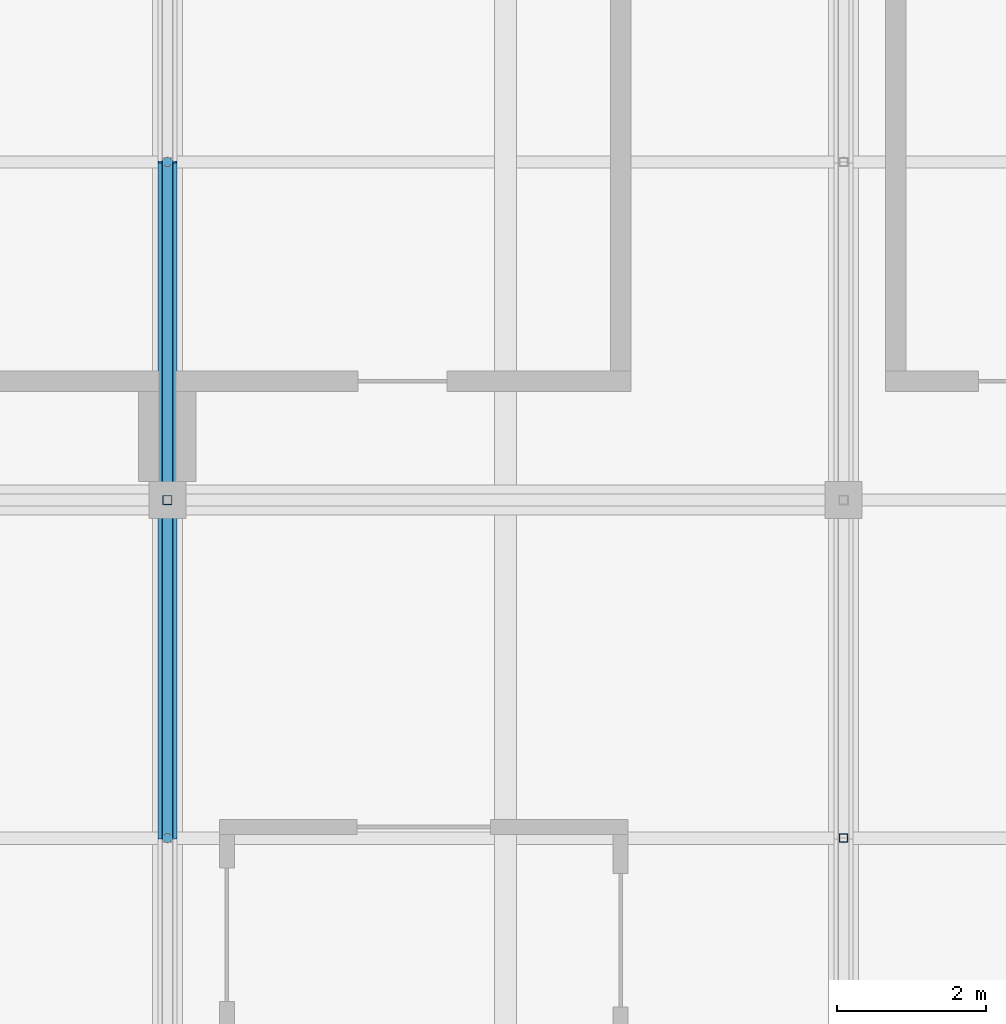
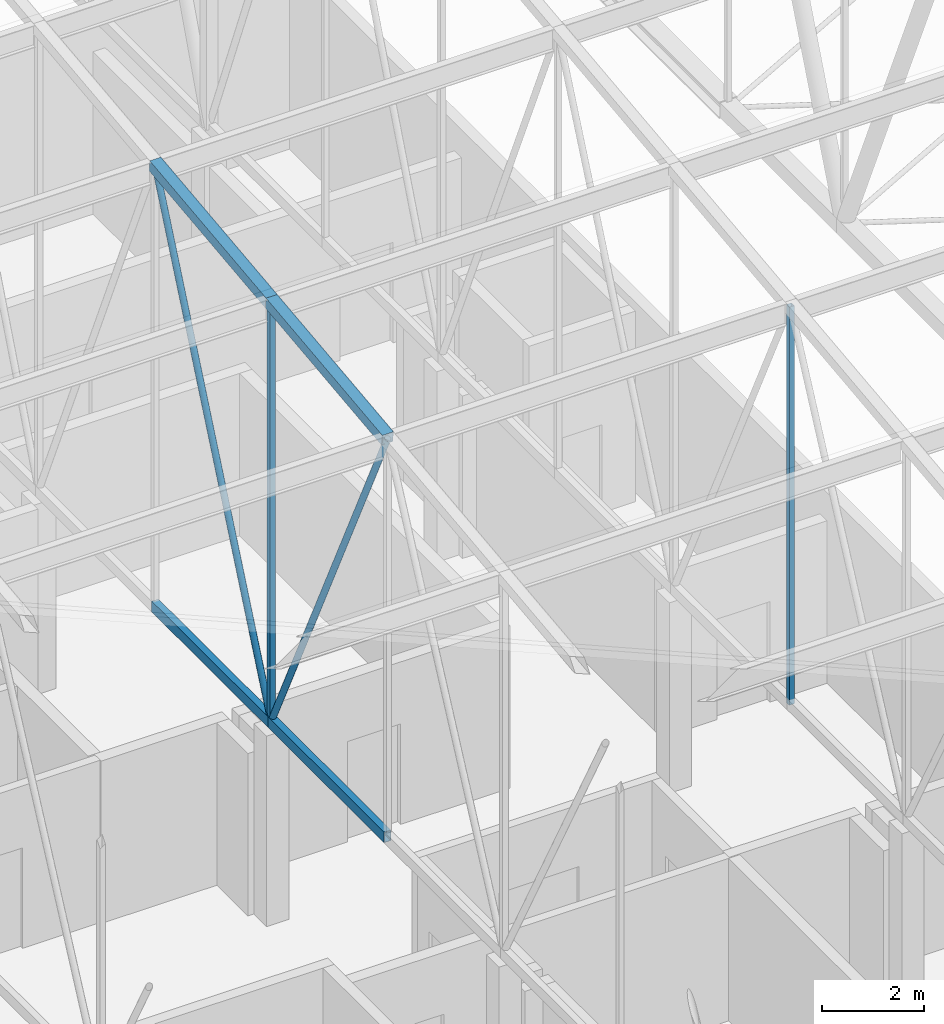
# One storey, part 40 of 500: 8 members.
"""IFC4 building model written with IfcOpenShell, lengths in metres."""

import ifcopenshell
import ifcopenshell.guid

model = None  # the IFC model being written
_history = None  # IfcOwnerHistory: only IFC2X3 demands one
_inside = {}  # id of a spatial element -> (the spatial element, [elements in it])
_under = {}  # id of a project, library or spatial element -> (it, [spatial elements below it])
_declared = {}  # id of a project -> (the project, [libraries it declares])
_typed = {}  # id of a type object -> (the type object, [elements of that type])
_made_of = {}  # id of a material, layer set ... -> (it, [elements and type objects made of it])


def new_model(schema):
    """Start an empty IFC model of exactly this schema.

    Asked for "IFC4X3", IfcOpenShell would pick the latest addendum, in which some entities
    have other attributes; the version numbers below select the first issue.
    IFC2X3 requires an IfcOwnerHistory on every rooted entity: one is made here for all.
    """
    global model, _history
    if schema == "IFC4X3":
        model = ifcopenshell.file(schema_version=(4, 3, 0, 0))
    else:
        model = ifcopenshell.file(schema=schema)
    _inside.clear()
    _under.clear()
    _declared.clear()
    _typed.clear()
    _made_of.clear()
    _history = None
    if model.schema == "IFC2X3":
        org = make("IfcOrganization", Name="unknown")
        user = make(
            "IfcPersonAndOrganization",
            ThePerson=make("IfcPerson", FamilyName="unknown"),
            TheOrganization=org,
        )
        app = make(
            "IfcApplication",
            ApplicationDeveloper=org,
            Version="unknown",
            ApplicationFullName="unknown",
            ApplicationIdentifier="unknown",
        )
        _history = make(
            "IfcOwnerHistory",
            OwningUser=user,
            OwningApplication=app,
            ChangeAction="ADDED",
            CreationDate=0,
        )
    return model


def make(cls, **values):
    """One entity of the class cls with the attributes given. An attribute that is None is left unset."""
    return model.create_entity(
        cls, **{name: value for name, value in values.items() if value is not None}
    )


def rooted(cls, **values):
    """An entity with a GlobalId (a new one), such as an element, a storey or a relation."""
    return make(cls, GlobalId=ifcopenshell.guid.new(), OwnerHistory=_history, **values)


def si_unit(unit_type, name, prefix=None):
    """IfcSIUnit, for example si_unit("LENGTHUNIT", "METRE", prefix="MILLI")."""
    return make("IfcSIUnit", UnitType=unit_type, Prefix=prefix, Name=name)


def assignment(units):
    """IfcUnitAssignment: the units of a project."""
    return None if units is None else make("IfcUnitAssignment", Units=units)


def point(xyz):
    """IfcCartesianPoint."""
    return None if xyz is None else make("IfcCartesianPoint", Coordinates=xyz)


def direction(xyz):
    """IfcDirection."""
    return None if xyz is None else make("IfcDirection", DirectionRatios=xyz)


def frame(location, z_axis=None, x_axis=None):
    """IfcAxis2Placement3D, a coordinate frame: its origin and axes. An axis left out is left unset."""
    return make(
        "IfcAxis2Placement3D",
        Location=point(location),
        Axis=direction(z_axis),
        RefDirection=direction(x_axis),
    )


def frame_2d(location, x_axis=None):
    """IfcAxis2Placement2D, a coordinate frame in the plane: its origin and x axis."""
    return make(
        "IfcAxis2Placement2D", Location=point(location), RefDirection=direction(x_axis)
    )


def origin():
    """The frame at (0, 0, 0) with its axes left unset."""
    return frame((0.0, 0.0, 0.0))


def origin_2d():
    """The frame at (0, 0) in the plane with its x axis left unset."""
    return frame_2d((0.0, 0.0))


def place(relative_to, where):
    """IfcLocalPlacement: puts the frame where relative to a parent placement (None: the world)."""
    return make(
        "IfcLocalPlacement", PlacementRelTo=relative_to, RelativePlacement=where
    )


def context(
    kind, dimensions, precision=None, world=None, true_north=None, identifier=None
):
    """IfcGeometricRepresentationContext, for example the 3D "Model" context."""
    return make(
        "IfcGeometricRepresentationContext",
        ContextIdentifier=identifier,
        ContextType=kind,
        CoordinateSpaceDimension=dimensions,
        Precision=precision,
        WorldCoordinateSystem=world,
        TrueNorth=true_north,
    )


def subcontext(parent, identifier, kind, view, scale=None):
    """IfcGeometricRepresentationSubContext, for example "Body" below "Model"."""
    return make(
        "IfcGeometricRepresentationSubContext",
        ContextIdentifier=identifier,
        ContextType=kind,
        ParentContext=parent,
        TargetScale=scale,
        TargetView=view,
    )


def project(units=None, contexts=None):
    """IfcProject with its units and contexts."""
    return rooted(
        "IfcProject",
        Name="project",
        RepresentationContexts=contexts,
        UnitsInContext=assignment(units),
    )


def spatial(cls, under=None, at=None, **own):
    """A site, building, storey or space (cls), placed at a placement, below another one or the project."""
    s = rooted(cls, ObjectPlacement=at, **own)
    if under is not None:
        _under.setdefault(under.id(), (under, []))[1].append(s)
    return s


def profile(cls, at=None, kind="AREA", **sizes):
    """A parametric profile (cls). Its sizes go by their IFC names, for example OverallWidth=200.0."""
    return make(cls, ProfileType=kind, Position=at, **sizes)


def hollow_rectangle(**sizes):
    """IfcRectangleHollowProfileDef."""
    return profile("IfcRectangleHollowProfileDef", **sizes)


def hollow_circle(**sizes):
    """IfcCircleHollowProfileDef."""
    return profile("IfcCircleHollowProfileDef", **sizes)


def extrude(swept, where, along, depth):
    """IfcExtrudedAreaSolid: the profile swept, set in the frame where, extruded along a direction by depth."""
    return make(
        "IfcExtrudedAreaSolid",
        SweptArea=swept,
        Position=where,
        ExtrudedDirection=direction(along),
        Depth=depth,
    )


def shape(context_of_items, identifier, shape_type, items):
    """IfcShapeRepresentation: the items that make up one representation, for example the "Body"."""
    return make(
        "IfcShapeRepresentation",
        ContextOfItems=context_of_items,
        RepresentationIdentifier=identifier,
        RepresentationType=shape_type,
        Items=items,
    )


def material(Name=None, Category=None):
    """IfcMaterial."""
    return make("IfcMaterial", Name=Name, Category=Category)


def material_profile(
    of_material, cross_section, Name=None, Category=None, Priority=None
):
    """IfcMaterialProfile: a cross section and its material."""
    return make(
        "IfcMaterialProfile",
        Name=Name,
        Material=of_material,
        Profile=cross_section,
        Priority=Priority,
        Category=Category,
    )


def profile_set(profiles, Name=None, composite=None):
    """IfcMaterialProfileSet."""
    return make(
        "IfcMaterialProfileSet",
        Name=Name,
        MaterialProfiles=profiles,
        CompositeProfile=composite,
    )


def made_of(thing, what):
    """Note that an element or type object is made of a material, layer set ...; save() writes the relation."""
    if what is not None:
        _made_of.setdefault(what.id(), (what, []))[1].append(thing)
    return thing


def type_object(cls, material=None, **own):
    """A type object (cls), such as IfcWallType, which elements share."""
    return made_of(rooted(cls, **own), material)


def element(
    cls,
    number,
    at=None,
    inside=None,
    cuts=None,
    type_object=None,
    material=None,
    context=None,
    identifier="Body",
    shape_type=None,
    held_by="IfcProductDefinitionShape",
    body=None,
    shapes=None,
    **own,
):
    """One element of the class cls, such as IfcWall. Its Tag is "e" and its number.

    at: its placement. inside: the storey or other place that contains it. cuts: it is an
    opening in that element (IfcRelVoidsElement). A single representation is given by context,
    identifier, shape_type and body (its items); several are given by shapes. held_by: the class
    of the entity that holds the representations. save() writes the other relations.
    """
    e = rooted(cls, Tag="e%d" % number, ObjectPlacement=at, **own)
    if body is not None:
        shapes = [shape(context, identifier, shape_type, body)]
    if shapes is not None:
        e.Representation = make(held_by, Representations=shapes)
    if inside is not None:
        _inside.setdefault(inside.id(), (inside, []))[1].append(e)
    if cuts is not None:
        rooted(
            "IfcRelVoidsElement", RelatingBuildingElement=cuts, RelatedOpeningElement=e
        )
    if type_object is not None:
        _typed.setdefault(type_object.id(), (type_object, []))[1].append(e)
    return made_of(e, material)


def aggregate(whole, parts):
    """IfcRelAggregates: a whole, such as a stair, and the parts it consists of."""
    return rooted("IfcRelAggregates", RelatingObject=whole, RelatedObjects=parts)


def save(model, path):
    """Write the relations noted so far, then the file.

    IfcRelAggregates (storeys below a building ...), IfcRelContainedInSpatialStructure (elements
    in a storey), IfcRelDefinesByType, IfcRelAssociatesMaterial and IfcRelDeclares: one each for
    every whole, place, type object, material and project.
    """
    for whole, parts in _under.values():
        aggregate(whole, parts)
    for where, things in _inside.values():
        rooted(
            "IfcRelContainedInSpatialStructure",
            RelatedElements=things,
            RelatingStructure=where,
        )
    for kind, things in _typed.values():
        rooted("IfcRelDefinesByType", RelatedObjects=things, RelatingType=kind)
    for what, things in _made_of.values():
        rooted("IfcRelAssociatesMaterial", RelatedObjects=things, RelatingMaterial=what)
    for by, libraries in _declared.values():
        rooted("IfcRelDeclares", RelatingContext=by, RelatedDefinitions=libraries)
    model.write(path)


model = new_model("IFC4")

# Units and contexts
model_context = context("Model", 3, precision=1e-05, world=origin(), true_north=direction((0.0, 1.0)))
body_context = subcontext(model_context, "Body", "Model", "MODEL_VIEW")
ifc_project = project(units=[si_unit("LENGTHUNIT", "METRE"), si_unit("AREAUNIT", "SQUARE_METRE"), si_unit("VOLUMEUNIT", "CUBIC_METRE"), si_unit("PLANEANGLEUNIT", "RADIAN"), si_unit("MASSUNIT", "GRAM", prefix="KILO")], contexts=[model_context])

# Site, building, storey
site_placement = place(None, origin())
site = spatial("IfcSite", under=ifc_project, at=site_placement, CompositionType="ELEMENT")
building_placement = place(site_placement, origin())
building = spatial("IfcBuilding", under=site, at=building_placement, Name="Shirokan Park Arena", CompositionType="ELEMENT")
storey_placement = place(building_placement, frame((0.0, 0.0, 29.1201171875)))
storey = spatial("IfcBuildingStorey", under=building, at=storey_placement, Name="L06", CompositionType="ELEMENT", Elevation=29.1201171875)

# Members
ifc_material = material(Name="Steel ASTM A500 Grade C", Category="steel")
ifc_material_profile_1 = material_profile(ifc_material, hollow_rectangle(XDim=0.152099609375, YDim=0.25390625, WallThickness=0.009521484375, at=origin_2d()), Name="HSS254X152.4X9.5")
ifc_profile_set_1 = profile_set([ifc_material_profile_1], Name="Steel ASTM A500 Grade C")
member_type_1 = type_object("IfcMemberType", Name="Bottom chord HSS254X152.4X9.5", PredefinedType="CHORD", material=ifc_profile_set_1)
for number, where, z_axis, x_axis, name in (
    (1, (27.300048828125, 13.64990234375, 4.677001953125), (0.0, 1.0, 0.0), (-1.0, 0.0, 0.0), "Truss T04 bottom chord 6"),
    (2, (27.300048828125, 18.199951171875, 4.677001953125), (0.0, 1.0, 0.0), (-1.0, 0.0, 0.0), "Truss T04 bottom chord 7"),
):
    element("IfcMember", number, at=place(storey_placement, frame(where, z_axis=z_axis, x_axis=x_axis)), inside=storey, type_object=member_type_1, Name=name, PredefinedType="CHORD", context=body_context, shape_type="SweptSolid", body=[
        extrude(hollow_rectangle(XDim=0.152099609375, YDim=0.25390625, WallThickness=0.009521484375, at=origin_2d()), origin(), (0.0, 0.0, 1.0), 4.550048828125),
    ])
ifc_material_profile_2 = material_profile(ifc_material, hollow_rectangle(XDim=0.25390625, YDim=0.25390625, WallThickness=0.009521484375, at=origin_2d()), Name="HSS254X254X9.5")
ifc_profile_set_2 = profile_set([ifc_material_profile_2], Name="Steel ASTM A500 Grade C")
member_type_2 = type_object("IfcMemberType", Name="Top chord HSS254X254X9.5", PredefinedType="CHORD", material=ifc_profile_set_2)
for number, where, z_axis, x_axis, name in (
    (3, (27.300048828125, 13.64990234375, 14.182861328125), (0.0, 0.993532328996, 0.113549598152), (-1.0, 0.0, 0.0), "Truss T04 top chord 6"),
    (4, (27.300048828125, 18.199951171875, 14.702880859375), (0.0, 0.993532328996, 0.113549598152), (-1.0, 0.0, 0.0), "Truss T04 top chord 7"),
):
    element("IfcMember", number, at=place(storey_placement, frame(where, z_axis=z_axis, x_axis=x_axis)), inside=storey, type_object=member_type_2, Name=name, PredefinedType="CHORD", context=body_context, shape_type="SweptSolid", body=[
        extrude(hollow_rectangle(XDim=0.25390625, YDim=0.25390625, WallThickness=0.009521484375, at=origin_2d()), origin(), (0.0, 0.0, 1.0), 4.57958984375),
    ])
ifc_material_profile_3 = material_profile(ifc_material, hollow_circle(Radius=0.070556640625, WallThickness=0.006591796875, at=origin_2d()), Name="HSS141.3X6.6")
ifc_profile_set_3 = profile_set([ifc_material_profile_3], Name="Steel ASTM A500 Grade C")
member_type_3 = type_object("IfcMemberType", Name="Truss diagonal HSS141.3X6.6", PredefinedType="BRACE", material=ifc_profile_set_3)
member_1_placement = place(storey_placement, frame((27.300048828125, 13.64990234375, 14.182861328125), z_axis=(0.0, 0.431746476626, -0.901994999942), x_axis=(-1.0, 0.0, 0.0)))
element("IfcMember", 5, at=member_1_placement, inside=storey, type_object=member_type_3, Name="Truss T04 diagonal 6", PredefinedType="BRACE", context=body_context, shape_type="SweptSolid", body=[
    extrude(hollow_circle(Radius=0.070556640625, WallThickness=0.006591796875, at=origin_2d()), origin(), (0.0, 0.0, 1.0), 10.538818359375),
])
member_2_placement = place(storey_placement, frame((27.300048828125, 18.199951171875, 4.677001953125), z_axis=(0.0, 0.396152605513, 0.918184683572), x_axis=(-1.0, 0.0, 0.0)))
element("IfcMember", 6, at=member_2_placement, inside=storey, type_object=member_type_3, Name="Truss T04 diagonal 7", PredefinedType="BRACE", context=body_context, shape_type="SweptSolid", body=[
    extrude(hollow_circle(Radius=0.070556640625, WallThickness=0.006591796875, at=origin_2d()), origin(), (0.0, 0.0, 1.0), 11.485595703125),
])
ifc_material_profile_4 = material_profile(ifc_material, hollow_rectangle(XDim=0.114013671875, YDim=0.114013671875, WallThickness=0.00634765625, at=origin_2d()), Name="HSS114.3X114.3X6.4")
ifc_profile_set_4 = profile_set([ifc_material_profile_4], Name="Steel ASTM A500 Grade C")
member_type_4 = type_object("IfcMemberType", Name="Truss post HSS114.3X114.3X6.4", PredefinedType="POST", material=ifc_profile_set_4)
member_3_placement = place(storey_placement, frame((36.39990234375, 13.64990234375, 4.677001953125), z_axis=(0.0, 0.0, 1.0), x_axis=(1.0, 0.0, 0.0)))
element("IfcMember", 7, at=member_3_placement, inside=storey, type_object=member_type_4, Name="Truss T05 post 6", PredefinedType="POST", context=body_context, shape_type="SweptSolid", body=[
    extrude(hollow_rectangle(XDim=0.114013671875, YDim=0.114013671875, WallThickness=0.00634765625, at=origin_2d()), origin(), (0.0, 0.0, 1.0), 9.505859375),
])
ifc_material_profile_5 = material_profile(ifc_material, hollow_rectangle(XDim=0.126953125, YDim=0.126953125, WallThickness=0.008056640625, at=origin_2d()), Name="HSS127X127X7.9")
ifc_profile_set_5 = profile_set([ifc_material_profile_5], Name="Steel ASTM A500 Grade C")
member_type_5 = type_object("IfcMemberType", Name="Truss post HSS127X127X7.9", PredefinedType="POST", material=ifc_profile_set_5)
member_4_placement = place(storey_placement, frame((27.300048828125, 18.199951171875, 4.677001953125), z_axis=(0.0, 0.0, 1.0), x_axis=(1.0, 0.0, 0.0)))
element("IfcMember", 8, at=member_4_placement, inside=storey, type_object=member_type_5, Name="Truss T04 post 7", PredefinedType="POST", context=body_context, shape_type="SweptSolid", body=[
    extrude(hollow_rectangle(XDim=0.126953125, YDim=0.126953125, WallThickness=0.008056640625, at=origin_2d()), origin(), (0.0, 0.0, 1.0), 10.02587890625),
])

save(model, "model.ifc")
